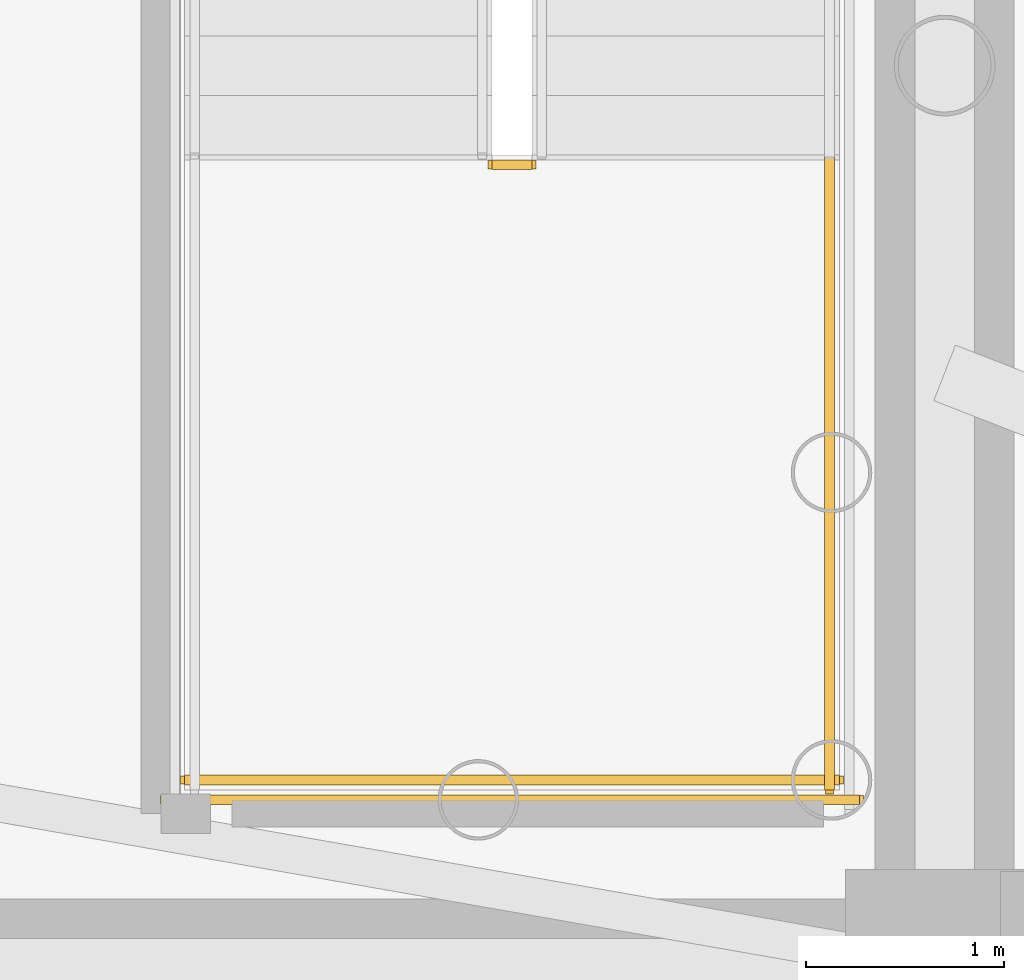
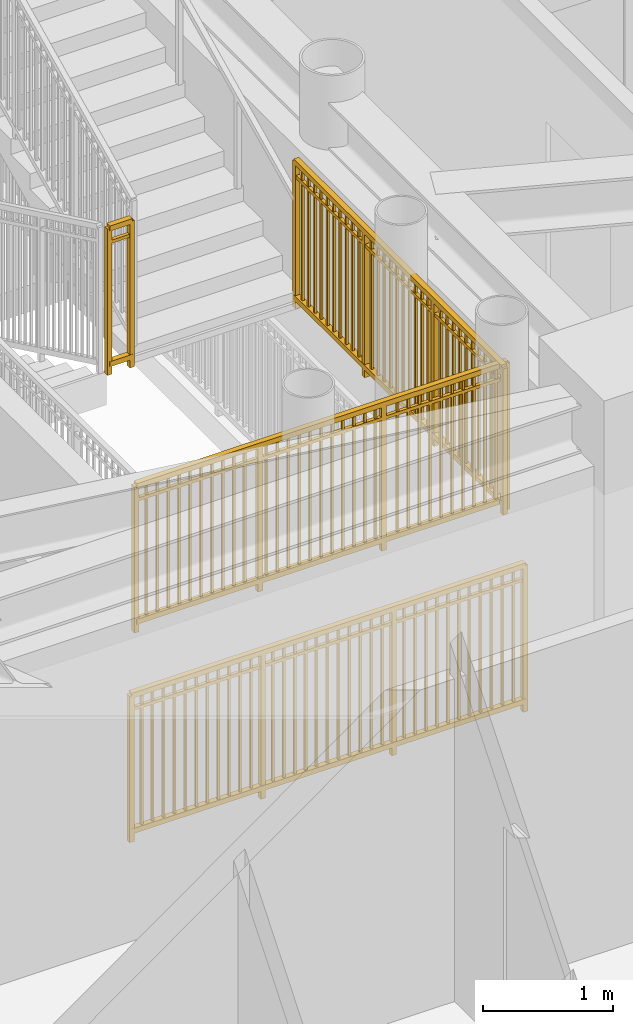
# One storey, part 12 of 18: 4 railings.
"""IFC4 building model written with IfcOpenShell, lengths in metres."""

import ifcopenshell
import ifcopenshell.guid

model = None  # the IFC model being written
_history = None  # IfcOwnerHistory: only IFC2X3 demands one
_inside = {}  # id of a spatial element -> (the spatial element, [elements in it])
_under = {}  # id of a project, library or spatial element -> (it, [spatial elements below it])
_declared = {}  # id of a project -> (the project, [libraries it declares])
_typed = {}  # id of a type object -> (the type object, [elements of that type])
_made_of = {}  # id of a material, layer set ... -> (it, [elements and type objects made of it])


def new_model(schema):
    """Start an empty IFC model of exactly this schema.

    Asked for "IFC4X3", IfcOpenShell would pick the latest addendum, in which some entities
    have other attributes; the version numbers below select the first issue.
    IFC2X3 requires an IfcOwnerHistory on every rooted entity: one is made here for all.
    """
    global model, _history
    if schema == "IFC4X3":
        model = ifcopenshell.file(schema_version=(4, 3, 0, 0))
    else:
        model = ifcopenshell.file(schema=schema)
    _inside.clear()
    _under.clear()
    _declared.clear()
    _typed.clear()
    _made_of.clear()
    _history = None
    if model.schema == "IFC2X3":
        org = make("IfcOrganization", Name="unknown")
        user = make(
            "IfcPersonAndOrganization",
            ThePerson=make("IfcPerson", FamilyName="unknown"),
            TheOrganization=org,
        )
        app = make(
            "IfcApplication",
            ApplicationDeveloper=org,
            Version="unknown",
            ApplicationFullName="unknown",
            ApplicationIdentifier="unknown",
        )
        _history = make(
            "IfcOwnerHistory",
            OwningUser=user,
            OwningApplication=app,
            ChangeAction="ADDED",
            CreationDate=0,
        )
    return model


def make(cls, **values):
    """One entity of the class cls with the attributes given. An attribute that is None is left unset."""
    return model.create_entity(
        cls, **{name: value for name, value in values.items() if value is not None}
    )


def rooted(cls, **values):
    """An entity with a GlobalId (a new one), such as an element, a storey or a relation."""
    return make(cls, GlobalId=ifcopenshell.guid.new(), OwnerHistory=_history, **values)


def si_unit(unit_type, name, prefix=None):
    """IfcSIUnit, for example si_unit("LENGTHUNIT", "METRE", prefix="MILLI")."""
    return make("IfcSIUnit", UnitType=unit_type, Prefix=prefix, Name=name)


def assignment(units):
    """IfcUnitAssignment: the units of a project."""
    return None if units is None else make("IfcUnitAssignment", Units=units)


def point(xyz):
    """IfcCartesianPoint."""
    return None if xyz is None else make("IfcCartesianPoint", Coordinates=xyz)


def direction(xyz):
    """IfcDirection."""
    return None if xyz is None else make("IfcDirection", DirectionRatios=xyz)


def frame(location, z_axis=None, x_axis=None):
    """IfcAxis2Placement3D, a coordinate frame: its origin and axes. An axis left out is left unset."""
    return make(
        "IfcAxis2Placement3D",
        Location=point(location),
        Axis=direction(z_axis),
        RefDirection=direction(x_axis),
    )


def frame_2d(location, x_axis=None):
    """IfcAxis2Placement2D, a coordinate frame in the plane: its origin and x axis."""
    return make(
        "IfcAxis2Placement2D", Location=point(location), RefDirection=direction(x_axis)
    )


def origin():
    """The frame at (0, 0, 0) with its axes left unset."""
    return frame((0.0, 0.0, 0.0))


def origin_2d():
    """The frame at (0, 0) in the plane with its x axis left unset."""
    return frame_2d((0.0, 0.0))


def place(relative_to, where):
    """IfcLocalPlacement: puts the frame where relative to a parent placement (None: the world)."""
    return make(
        "IfcLocalPlacement", PlacementRelTo=relative_to, RelativePlacement=where
    )


def context(
    kind, dimensions, precision=None, world=None, true_north=None, identifier=None
):
    """IfcGeometricRepresentationContext, for example the 3D "Model" context."""
    return make(
        "IfcGeometricRepresentationContext",
        ContextIdentifier=identifier,
        ContextType=kind,
        CoordinateSpaceDimension=dimensions,
        Precision=precision,
        WorldCoordinateSystem=world,
        TrueNorth=true_north,
    )


def subcontext(parent, identifier, kind, view, scale=None):
    """IfcGeometricRepresentationSubContext, for example "Body" below "Model"."""
    return make(
        "IfcGeometricRepresentationSubContext",
        ContextIdentifier=identifier,
        ContextType=kind,
        ParentContext=parent,
        TargetScale=scale,
        TargetView=view,
    )


def project(units=None, contexts=None):
    """IfcProject with its units and contexts."""
    return rooted(
        "IfcProject",
        Name="project",
        RepresentationContexts=contexts,
        UnitsInContext=assignment(units),
    )


def spatial(cls, under=None, at=None, **own):
    """A site, building, storey or space (cls), placed at a placement, below another one or the project."""
    s = rooted(cls, ObjectPlacement=at, **own)
    if under is not None:
        _under.setdefault(under.id(), (under, []))[1].append(s)
    return s


def profile(cls, at=None, kind="AREA", **sizes):
    """A parametric profile (cls). Its sizes go by their IFC names, for example OverallWidth=200.0."""
    return make(cls, ProfileType=kind, Position=at, **sizes)


def rectangle(**sizes):
    """IfcRectangleProfileDef."""
    return profile("IfcRectangleProfileDef", **sizes)


def extrude(swept, where, along, depth):
    """IfcExtrudedAreaSolid: the profile swept, set in the frame where, extruded along a direction by depth."""
    return make(
        "IfcExtrudedAreaSolid",
        SweptArea=swept,
        Position=where,
        ExtrudedDirection=direction(along),
        Depth=depth,
    )


def shape(context_of_items, identifier, shape_type, items):
    """IfcShapeRepresentation: the items that make up one representation, for example the "Body"."""
    return make(
        "IfcShapeRepresentation",
        ContextOfItems=context_of_items,
        RepresentationIdentifier=identifier,
        RepresentationType=shape_type,
        Items=items,
    )


def source(mapping_origin, context_of_items, identifier, shape_type, items):
    """IfcRepresentationMap: a shape defined once, which mapped items show again and again."""
    return make(
        "IfcRepresentationMap",
        MappingOrigin=mapping_origin,
        MappedRepresentation=shape(context_of_items, identifier, shape_type, items),
    )


def transform(
    local_origin,
    x_axis=None,
    y_axis=None,
    z_axis=None,
    scale=None,
    scale2=None,
    scale3=None,
    uniform=True,
):
    """IfcCartesianTransformationOperator3D, or its non-uniform kind. x_axis, y_axis, z_axis: its Axis1, 2, 3."""
    if uniform:
        return make(
            "IfcCartesianTransformationOperator3D",
            Axis1=direction(x_axis),
            Axis2=direction(y_axis),
            LocalOrigin=point(local_origin),
            Scale=scale,
            Axis3=direction(z_axis),
        )
    return make(
        "IfcCartesianTransformationOperator3DnonUniform",
        Axis1=direction(x_axis),
        Axis2=direction(y_axis),
        LocalOrigin=point(local_origin),
        Scale=scale,
        Axis3=direction(z_axis),
        Scale2=scale2,
        Scale3=scale3,
    )


def mapped(mapping_source, mapping_target):
    """IfcMappedItem: shows the shape of a source again, moved by a transform."""
    return make(
        "IfcMappedItem", MappingSource=mapping_source, MappingTarget=mapping_target
    )


def material(Name=None, Category=None):
    """IfcMaterial."""
    return make("IfcMaterial", Name=Name, Category=Category)


def made_of(thing, what):
    """Note that an element or type object is made of a material, layer set ...; save() writes the relation."""
    if what is not None:
        _made_of.setdefault(what.id(), (what, []))[1].append(thing)
    return thing


def type_object(cls, material=None, **own):
    """A type object (cls), such as IfcWallType, which elements share."""
    return made_of(rooted(cls, **own), material)


def element(
    cls,
    number,
    at=None,
    inside=None,
    cuts=None,
    type_object=None,
    material=None,
    context=None,
    identifier="Body",
    shape_type=None,
    held_by="IfcProductDefinitionShape",
    body=None,
    shapes=None,
    **own,
):
    """One element of the class cls, such as IfcWall. Its Tag is "e" and its number.

    at: its placement. inside: the storey or other place that contains it. cuts: it is an
    opening in that element (IfcRelVoidsElement). A single representation is given by context,
    identifier, shape_type and body (its items); several are given by shapes. held_by: the class
    of the entity that holds the representations. save() writes the other relations.
    """
    e = rooted(cls, Tag="e%d" % number, ObjectPlacement=at, **own)
    if body is not None:
        shapes = [shape(context, identifier, shape_type, body)]
    if shapes is not None:
        e.Representation = make(held_by, Representations=shapes)
    if inside is not None:
        _inside.setdefault(inside.id(), (inside, []))[1].append(e)
    if cuts is not None:
        rooted(
            "IfcRelVoidsElement", RelatingBuildingElement=cuts, RelatedOpeningElement=e
        )
    if type_object is not None:
        _typed.setdefault(type_object.id(), (type_object, []))[1].append(e)
    return made_of(e, material)


def aggregate(whole, parts):
    """IfcRelAggregates: a whole, such as a stair, and the parts it consists of."""
    return rooted("IfcRelAggregates", RelatingObject=whole, RelatedObjects=parts)


def save(model, path):
    """Write the relations noted so far, then the file.

    IfcRelAggregates (storeys below a building ...), IfcRelContainedInSpatialStructure (elements
    in a storey), IfcRelDefinesByType, IfcRelAssociatesMaterial and IfcRelDeclares: one each for
    every whole, place, type object, material and project.
    """
    for whole, parts in _under.values():
        aggregate(whole, parts)
    for where, things in _inside.values():
        rooted(
            "IfcRelContainedInSpatialStructure",
            RelatedElements=things,
            RelatingStructure=where,
        )
    for kind, things in _typed.values():
        rooted("IfcRelDefinesByType", RelatedObjects=things, RelatingType=kind)
    for what, things in _made_of.values():
        rooted("IfcRelAssociatesMaterial", RelatedObjects=things, RelatingMaterial=what)
    for by, libraries in _declared.values():
        rooted("IfcRelDeclares", RelatingContext=by, RelatedDefinitions=libraries)
    model.write(path)


model = new_model("IFC4")

# Units and contexts
model_context = context("Model", 3, precision=1e-05, world=origin(), true_north=direction((0.0, 1.0)))
body_context = subcontext(model_context, "Body", "Model", "MODEL_VIEW")
ifc_project = project(units=[si_unit("LENGTHUNIT", "METRE"), si_unit("AREAUNIT", "SQUARE_METRE"), si_unit("VOLUMEUNIT", "CUBIC_METRE"), si_unit("PLANEANGLEUNIT", "RADIAN"), si_unit("MASSUNIT", "GRAM", prefix="KILO")], contexts=[model_context])

# Site, building, storey
site_placement = place(None, origin())
site = spatial("IfcSite", under=ifc_project, at=site_placement, CompositionType="ELEMENT")
building_placement = place(site_placement, origin())
building = spatial("IfcBuilding", under=site, at=building_placement, Name="Linh Dai School and Residence Tower", CompositionType="ELEMENT")
storey_placement = place(building_placement, frame((0.0, 0.0, 295.5)))
storey = spatial("IfcBuildingStorey", under=building, at=storey_placement, Name="L73", CompositionType="ELEMENT", Elevation=295.5)

# Railings
ifc_material = material(Name="Structural Steel S355JR", Category="steel")
railing_type = type_object("IfcRailingType", Name="RL-ST-GUARD-1400", PredefinedType="GUARDRAIL", material=ifc_material)
shared_shape_1 = source(origin(), body_context, "Body", "SweptSolid", [
    extrude(rectangle(XDim=0.048095703125, YDim=0.048095703125, at=origin_2d()), frame((0.0, 0.0, 1.3759765625), z_axis=(1.0, 0.0, 0.0), x_axis=(0.0, 1.0, 0.0)), (0.0, 0.0, 1.0), 0.199951171875),
    extrude(rectangle(XDim=0.048095703125, YDim=0.048095703125, at=origin_2d()), frame((0.0, 0.0, 0.10009765625), z_axis=(1.0, 0.0, 0.0), x_axis=(0.0, 1.0, 0.0)), (0.0, 0.0, 1.0), 0.199951171875),
    extrude(rectangle(XDim=0.030029296875, YDim=0.030029296875, at=origin_2d()), frame((0.0, 0.0, 1.239990234375), z_axis=(1.0, 0.0, 0.0), x_axis=(0.0, 1.0, 0.0)), (0.0, 0.0, 1.0), 0.199951171875),
    extrude(rectangle(XDim=0.0419921875, YDim=0.0419921875, at=origin_2d()), origin(), (0.0, 0.0, 1.0), 1.3759765625),
    extrude(rectangle(XDim=0.0419921875, YDim=0.0419921875, at=origin_2d()), frame((0.199951171875, 0.0, 0.0)), (0.0, 0.0, 1.0), 1.3759765625),
])
railing_1_placement = place(storey_placement, frame((42.570068359375, 24.60009765625, 1.875)))
element("IfcRailing", 1, at=railing_1_placement, inside=storey, type_object=railing_type, Name="L73 ST2 stair guard 2", PredefinedType="GUARDRAIL", context=body_context, shape_type="MappedRepresentation", body=[
    mapped(shared_shape_1, transform((0.0, 0.0, 0.0), x_axis=(1.0, 0.0, 0.0), y_axis=(0.0, 1.0, 0.0), z_axis=(0.0, 0.0, 1.0), scale=1.0)),
])
shared_shape_2 = source(origin(), body_context, "Body", "SweptSolid", [
    extrude(rectangle(XDim=0.048095703125, YDim=0.048095703125, at=origin_2d()), frame((0.0, 0.0, 1.3759765625), z_axis=(1.0, 0.0, 0.0), x_axis=(0.0, 1.0, 0.0)), (0.0, 0.0, 1.0), 3.300048828125),
    extrude(rectangle(XDim=0.048095703125, YDim=0.048095703125, at=origin_2d()), frame((0.0, 0.0, 0.10009765625), z_axis=(1.0, 0.0, 0.0), x_axis=(0.0, 1.0, 0.0)), (0.0, 0.0, 1.0), 3.300048828125),
    extrude(rectangle(XDim=0.030029296875, YDim=0.030029296875, at=origin_2d()), frame((0.0, 0.0, 1.239990234375), z_axis=(1.0, 0.0, 0.0), x_axis=(0.0, 1.0, 0.0)), (0.0, 0.0, 1.0), 3.300048828125),
    extrude(rectangle(XDim=0.02001953125, YDim=0.02001953125, at=origin_2d()), frame((0.09716796875, 0.0, 0.10009765625)), (0.0, 0.0, 1.0), 1.251708984375),
    extrude(rectangle(XDim=0.02001953125, YDim=0.02001953125, at=origin_2d()), frame((0.194091796875, 0.0, 0.10009765625)), (0.0, 0.0, 1.0), 1.251708984375),
    extrude(rectangle(XDim=0.02001953125, YDim=0.02001953125, at=origin_2d()), frame((0.291259765625, 0.0, 0.10009765625)), (0.0, 0.0, 1.0), 1.251708984375),
    extrude(rectangle(XDim=0.02001953125, YDim=0.02001953125, at=origin_2d()), frame((0.38818359375, 0.0, 0.10009765625)), (0.0, 0.0, 1.0), 1.251708984375),
    extrude(rectangle(XDim=0.02001953125, YDim=0.02001953125, at=origin_2d()), frame((0.4853515625, 0.0, 0.10009765625)), (0.0, 0.0, 1.0), 1.251708984375),
    extrude(rectangle(XDim=0.02001953125, YDim=0.02001953125, at=origin_2d()), frame((0.582275390625, 0.0, 0.10009765625)), (0.0, 0.0, 1.0), 1.251708984375),
    extrude(rectangle(XDim=0.02001953125, YDim=0.02001953125, at=origin_2d()), frame((0.679443359375, 0.0, 0.10009765625)), (0.0, 0.0, 1.0), 1.251708984375),
    extrude(rectangle(XDim=0.02001953125, YDim=0.02001953125, at=origin_2d()), frame((0.7763671875, 0.0, 0.10009765625)), (0.0, 0.0, 1.0), 1.251708984375),
    extrude(rectangle(XDim=0.02001953125, YDim=0.02001953125, at=origin_2d()), frame((0.87353515625, 0.0, 0.10009765625)), (0.0, 0.0, 1.0), 1.251708984375),
    extrude(rectangle(XDim=0.02001953125, YDim=0.02001953125, at=origin_2d()), frame((0.970703125, 0.0, 0.10009765625)), (0.0, 0.0, 1.0), 1.251708984375),
    extrude(rectangle(XDim=0.02001953125, YDim=0.02001953125, at=origin_2d()), frame((1.164794921875, 0.0, 0.10009765625)), (0.0, 0.0, 1.0), 1.251708984375),
    extrude(rectangle(XDim=0.02001953125, YDim=0.02001953125, at=origin_2d()), frame((1.26171875, 0.0, 0.10009765625)), (0.0, 0.0, 1.0), 1.251708984375),
    extrude(rectangle(XDim=0.02001953125, YDim=0.02001953125, at=origin_2d()), frame((1.35888671875, 0.0, 0.10009765625)), (0.0, 0.0, 1.0), 1.251708984375),
    extrude(rectangle(XDim=0.02001953125, YDim=0.02001953125, at=origin_2d()), frame((1.455810546875, 0.0, 0.10009765625)), (0.0, 0.0, 1.0), 1.251708984375),
    extrude(rectangle(XDim=0.02001953125, YDim=0.02001953125, at=origin_2d()), frame((1.552978515625, 0.0, 0.10009765625)), (0.0, 0.0, 1.0), 1.251708984375),
    extrude(rectangle(XDim=0.02001953125, YDim=0.02001953125, at=origin_2d()), frame((1.64990234375, 0.0, 0.10009765625)), (0.0, 0.0, 1.0), 1.251708984375),
    extrude(rectangle(XDim=0.02001953125, YDim=0.02001953125, at=origin_2d()), frame((1.7470703125, 0.0, 0.10009765625)), (0.0, 0.0, 1.0), 1.251708984375),
    extrude(rectangle(XDim=0.02001953125, YDim=0.02001953125, at=origin_2d()), frame((1.84423828125, 0.0, 0.10009765625)), (0.0, 0.0, 1.0), 1.251708984375),
    extrude(rectangle(XDim=0.02001953125, YDim=0.02001953125, at=origin_2d()), frame((1.941162109375, 0.0, 0.10009765625)), (0.0, 0.0, 1.0), 1.251708984375),
    extrude(rectangle(XDim=0.02001953125, YDim=0.02001953125, at=origin_2d()), frame((2.038330078125, 0.0, 0.10009765625)), (0.0, 0.0, 1.0), 1.251708984375),
    extrude(rectangle(XDim=0.02001953125, YDim=0.02001953125, at=origin_2d()), frame((2.13525390625, 0.0, 0.10009765625)), (0.0, 0.0, 1.0), 1.251708984375),
    extrude(rectangle(XDim=0.02001953125, YDim=0.02001953125, at=origin_2d()), frame((2.329345703125, 0.0, 0.10009765625)), (0.0, 0.0, 1.0), 1.251708984375),
    extrude(rectangle(XDim=0.02001953125, YDim=0.02001953125, at=origin_2d()), frame((2.426513671875, 0.0, 0.10009765625)), (0.0, 0.0, 1.0), 1.251708984375),
    extrude(rectangle(XDim=0.02001953125, YDim=0.02001953125, at=origin_2d()), frame((2.523681640625, 0.0, 0.10009765625)), (0.0, 0.0, 1.0), 1.251708984375),
    extrude(rectangle(XDim=0.02001953125, YDim=0.02001953125, at=origin_2d()), frame((2.62060546875, 0.0, 0.10009765625)), (0.0, 0.0, 1.0), 1.251708984375),
    extrude(rectangle(XDim=0.02001953125, YDim=0.02001953125, at=origin_2d()), frame((2.7177734375, 0.0, 0.10009765625)), (0.0, 0.0, 1.0), 1.251708984375),
    extrude(rectangle(XDim=0.02001953125, YDim=0.02001953125, at=origin_2d()), frame((2.814697265625, 0.0, 0.10009765625)), (0.0, 0.0, 1.0), 1.251708984375),
    extrude(rectangle(XDim=0.02001953125, YDim=0.02001953125, at=origin_2d()), frame((2.911865234375, 0.0, 0.10009765625)), (0.0, 0.0, 1.0), 1.251708984375),
    extrude(rectangle(XDim=0.02001953125, YDim=0.02001953125, at=origin_2d()), frame((3.0087890625, 0.0, 0.10009765625)), (0.0, 0.0, 1.0), 1.251708984375),
    extrude(rectangle(XDim=0.02001953125, YDim=0.02001953125, at=origin_2d()), frame((3.10595703125, 0.0, 0.10009765625)), (0.0, 0.0, 1.0), 1.251708984375),
    extrude(rectangle(XDim=0.02001953125, YDim=0.02001953125, at=origin_2d()), frame((3.202880859375, 0.0, 0.10009765625)), (0.0, 0.0, 1.0), 1.251708984375),
    extrude(rectangle(XDim=0.0419921875, YDim=0.0419921875, at=origin_2d()), origin(), (0.0, 0.0, 1.0), 1.3759765625),
    extrude(rectangle(XDim=0.0419921875, YDim=0.0419921875, at=origin_2d()), frame((1.10009765625, 0.0, 0.0)), (0.0, 0.0, 1.0), 1.3759765625),
    extrude(rectangle(XDim=0.0419921875, YDim=0.0419921875, at=origin_2d()), frame((2.199951171875, 0.0, 0.0)), (0.0, 0.0, 1.0), 1.3759765625),
    extrude(rectangle(XDim=0.0419921875, YDim=0.0419921875, at=origin_2d()), frame((3.300048828125, 0.0, 0.0)), (0.0, 0.0, 1.0), 1.3759765625),
])
railing_2_placement = place(storey_placement, frame((41.02001953125, 21.5, 1.875)))
element("IfcRailing", 2, at=railing_2_placement, inside=storey, type_object=railing_type, Name="L73 ST2 stair guard 5", PredefinedType="GUARDRAIL", context=body_context, shape_type="MappedRepresentation", body=[
    mapped(shared_shape_2, transform((0.0, 0.0, 0.0), x_axis=(1.0, 0.0, 0.0), y_axis=(0.0, 1.0, 0.0), z_axis=(0.0, 0.0, 1.0), scale=1.0)),
])
shared_shape_3 = source(origin(), body_context, "Body", "SweptSolid", [
    extrude(rectangle(XDim=0.048095703125, YDim=0.048095703125, at=origin_2d()), frame((0.0, 0.0, 1.3759765625), z_axis=(1.0, 0.0, 0.0), x_axis=(0.0, 1.0, 0.0)), (0.0, 0.0, 1.0), 3.5),
    extrude(rectangle(XDim=0.048095703125, YDim=0.048095703125, at=origin_2d()), frame((0.0, 0.0, 0.10009765625), z_axis=(1.0, 0.0, 0.0), x_axis=(0.0, 1.0, 0.0)), (0.0, 0.0, 1.0), 3.5),
    extrude(rectangle(XDim=0.030029296875, YDim=0.030029296875, at=origin_2d()), frame((0.0, 0.0, 1.239990234375), z_axis=(1.0, 0.0, 0.0), x_axis=(0.0, 1.0, 0.0)), (0.0, 0.0, 1.0), 3.5),
    extrude(rectangle(XDim=0.02001953125, YDim=0.02001953125, at=origin_2d()), frame((0.09716796875, 0.0, 0.10009765625)), (0.0, 0.0, 1.0), 1.251708984375),
    extrude(rectangle(XDim=0.02001953125, YDim=0.02001953125, at=origin_2d()), frame((0.1943359375, 0.0, 0.10009765625)), (0.0, 0.0, 1.0), 1.251708984375),
    extrude(rectangle(XDim=0.02001953125, YDim=0.02001953125, at=origin_2d()), frame((0.291748046875, 0.0, 0.10009765625)), (0.0, 0.0, 1.0), 1.251708984375),
    extrude(rectangle(XDim=0.02001953125, YDim=0.02001953125, at=origin_2d()), frame((0.388916015625, 0.0, 0.10009765625)), (0.0, 0.0, 1.0), 1.251708984375),
    extrude(rectangle(XDim=0.02001953125, YDim=0.02001953125, at=origin_2d()), frame((0.486083984375, 0.0, 0.10009765625)), (0.0, 0.0, 1.0), 1.251708984375),
    extrude(rectangle(XDim=0.02001953125, YDim=0.02001953125, at=origin_2d()), frame((0.583251953125, 0.0, 0.10009765625)), (0.0, 0.0, 1.0), 1.251708984375),
    extrude(rectangle(XDim=0.02001953125, YDim=0.02001953125, at=origin_2d()), frame((0.6806640625, 0.0, 0.10009765625)), (0.0, 0.0, 1.0), 1.251708984375),
    extrude(rectangle(XDim=0.02001953125, YDim=0.02001953125, at=origin_2d()), frame((0.77783203125, 0.0, 0.10009765625)), (0.0, 0.0, 1.0), 1.251708984375),
    extrude(rectangle(XDim=0.02001953125, YDim=0.02001953125, at=origin_2d()), frame((0.875, 0.0, 0.10009765625)), (0.0, 0.0, 1.0), 1.251708984375),
    extrude(rectangle(XDim=0.02001953125, YDim=0.02001953125, at=origin_2d()), frame((0.97216796875, 0.0, 0.10009765625)), (0.0, 0.0, 1.0), 1.251708984375),
    extrude(rectangle(XDim=0.02001953125, YDim=0.02001953125, at=origin_2d()), frame((1.0693359375, 0.0, 0.10009765625)), (0.0, 0.0, 1.0), 1.251708984375),
    extrude(rectangle(XDim=0.02001953125, YDim=0.02001953125, at=origin_2d()), frame((1.263916015625, 0.0, 0.10009765625)), (0.0, 0.0, 1.0), 1.251708984375),
    extrude(rectangle(XDim=0.02001953125, YDim=0.02001953125, at=origin_2d()), frame((1.361083984375, 0.0, 0.10009765625)), (0.0, 0.0, 1.0), 1.251708984375),
    extrude(rectangle(XDim=0.02001953125, YDim=0.02001953125, at=origin_2d()), frame((1.458251953125, 0.0, 0.10009765625)), (0.0, 0.0, 1.0), 1.251708984375),
    extrude(rectangle(XDim=0.02001953125, YDim=0.02001953125, at=origin_2d()), frame((1.5556640625, 0.0, 0.10009765625)), (0.0, 0.0, 1.0), 1.251708984375),
    extrude(rectangle(XDim=0.02001953125, YDim=0.02001953125, at=origin_2d()), frame((1.65283203125, 0.0, 0.10009765625)), (0.0, 0.0, 1.0), 1.251708984375),
    extrude(rectangle(XDim=0.02001953125, YDim=0.02001953125, at=origin_2d()), frame((1.75, 0.0, 0.10009765625)), (0.0, 0.0, 1.0), 1.251708984375),
    extrude(rectangle(XDim=0.02001953125, YDim=0.02001953125, at=origin_2d()), frame((1.84716796875, 0.0, 0.10009765625)), (0.0, 0.0, 1.0), 1.251708984375),
    extrude(rectangle(XDim=0.02001953125, YDim=0.02001953125, at=origin_2d()), frame((1.9443359375, 0.0, 0.10009765625)), (0.0, 0.0, 1.0), 1.251708984375),
    extrude(rectangle(XDim=0.02001953125, YDim=0.02001953125, at=origin_2d()), frame((2.041748046875, 0.0, 0.10009765625)), (0.0, 0.0, 1.0), 1.251708984375),
    extrude(rectangle(XDim=0.02001953125, YDim=0.02001953125, at=origin_2d()), frame((2.138916015625, 0.0, 0.10009765625)), (0.0, 0.0, 1.0), 1.251708984375),
    extrude(rectangle(XDim=0.02001953125, YDim=0.02001953125, at=origin_2d()), frame((2.236083984375, 0.0, 0.10009765625)), (0.0, 0.0, 1.0), 1.251708984375),
    extrude(rectangle(XDim=0.02001953125, YDim=0.02001953125, at=origin_2d()), frame((2.4306640625, 0.0, 0.10009765625)), (0.0, 0.0, 1.0), 1.251708984375),
    extrude(rectangle(XDim=0.02001953125, YDim=0.02001953125, at=origin_2d()), frame((2.52783203125, 0.0, 0.10009765625)), (0.0, 0.0, 1.0), 1.251708984375),
    extrude(rectangle(XDim=0.02001953125, YDim=0.02001953125, at=origin_2d()), frame((2.625, 0.0, 0.10009765625)), (0.0, 0.0, 1.0), 1.251708984375),
    extrude(rectangle(XDim=0.02001953125, YDim=0.02001953125, at=origin_2d()), frame((2.72216796875, 0.0, 0.10009765625)), (0.0, 0.0, 1.0), 1.251708984375),
    extrude(rectangle(XDim=0.02001953125, YDim=0.02001953125, at=origin_2d()), frame((2.8193359375, 0.0, 0.10009765625)), (0.0, 0.0, 1.0), 1.251708984375),
    extrude(rectangle(XDim=0.02001953125, YDim=0.02001953125, at=origin_2d()), frame((2.916748046875, 0.0, 0.10009765625)), (0.0, 0.0, 1.0), 1.251708984375),
    extrude(rectangle(XDim=0.02001953125, YDim=0.02001953125, at=origin_2d()), frame((3.013916015625, 0.0, 0.10009765625)), (0.0, 0.0, 1.0), 1.251708984375),
    extrude(rectangle(XDim=0.02001953125, YDim=0.02001953125, at=origin_2d()), frame((3.111083984375, 0.0, 0.10009765625)), (0.0, 0.0, 1.0), 1.251708984375),
    extrude(rectangle(XDim=0.02001953125, YDim=0.02001953125, at=origin_2d()), frame((3.208251953125, 0.0, 0.10009765625)), (0.0, 0.0, 1.0), 1.251708984375),
    extrude(rectangle(XDim=0.02001953125, YDim=0.02001953125, at=origin_2d()), frame((3.3056640625, 0.0, 0.10009765625)), (0.0, 0.0, 1.0), 1.251708984375),
    extrude(rectangle(XDim=0.02001953125, YDim=0.02001953125, at=origin_2d()), frame((3.40283203125, 0.0, 0.10009765625)), (0.0, 0.0, 1.0), 1.251708984375),
    extrude(rectangle(XDim=0.0419921875, YDim=0.0419921875, at=origin_2d()), origin(), (0.0, 0.0, 1.0), 1.3759765625),
    extrude(rectangle(XDim=0.0419921875, YDim=0.0419921875, at=origin_2d()), frame((1.166748046875, 0.0, 0.0)), (0.0, 0.0, 1.0), 1.3759765625),
    extrude(rectangle(XDim=0.0419921875, YDim=0.0419921875, at=origin_2d()), frame((2.333251953125, 0.0, 0.0)), (0.0, 0.0, 1.0), 1.3759765625),
    extrude(rectangle(XDim=0.0419921875, YDim=0.0419921875, at=origin_2d()), frame((3.5, 0.0, 0.0)), (0.0, 0.0, 1.0), 1.3759765625),
])
railing_3_placement = place(storey_placement, frame((40.919921875, 21.39990234375, 0.0)))
element("IfcRailing", 3, at=railing_3_placement, inside=storey, type_object=railing_type, Name="L73 ST2 stair guard 12", PredefinedType="GUARDRAIL", context=body_context, shape_type="MappedRepresentation", body=[
    mapped(shared_shape_3, transform((0.0, 0.0, 0.0), x_axis=(1.0, 0.0, 0.0), y_axis=(0.0, 1.0, 0.0), z_axis=(0.0, 0.0, 1.0), scale=1.0)),
])
shared_shape_4 = source(origin(), body_context, "Body", "SweptSolid", [
    extrude(rectangle(XDim=0.048095703125, YDim=0.048095703125, at=origin_2d()), frame((0.0, 0.0, 1.3759765625), z_axis=(0.0, -1.0, 0.0), x_axis=(1.0, 0.0, 0.0)), (0.0, 0.0, 1.0), 3.199951171875),
    extrude(rectangle(XDim=0.048095703125, YDim=0.048095703125, at=origin_2d()), frame((0.0, 0.0, 0.10009765625), z_axis=(0.0, -1.0, 0.0), x_axis=(1.0, 0.0, 0.0)), (0.0, 0.0, 1.0), 3.199951171875),
    extrude(rectangle(XDim=0.030029296875, YDim=0.030029296875, at=origin_2d()), frame((0.0, 0.0, 1.239990234375), z_axis=(0.0, -1.0, 0.0), x_axis=(1.0, 0.0, 0.0)), (0.0, 0.0, 1.0), 3.199951171875),
    extrude(rectangle(XDim=0.02001953125, YDim=0.02001953125, at=origin_2d()), frame((0.0, -0.096923828125, 0.10009765625)), (0.0, 0.0, 1.0), 1.251708984375),
    extrude(rectangle(XDim=0.02001953125, YDim=0.02001953125, at=origin_2d()), frame((0.0, -0.19384765625, 0.10009765625)), (0.0, 0.0, 1.0), 1.251708984375),
    extrude(rectangle(XDim=0.02001953125, YDim=0.02001953125, at=origin_2d()), frame((0.0, -0.291015625, 0.10009765625)), (0.0, 0.0, 1.0), 1.251708984375),
    extrude(rectangle(XDim=0.02001953125, YDim=0.02001953125, at=origin_2d()), frame((0.0, -0.387939453125, 0.10009765625)), (0.0, 0.0, 1.0), 1.251708984375),
    extrude(rectangle(XDim=0.02001953125, YDim=0.02001953125, at=origin_2d()), frame((0.0, -0.48486328125, 0.10009765625)), (0.0, 0.0, 1.0), 1.251708984375),
    extrude(rectangle(XDim=0.02001953125, YDim=0.02001953125, at=origin_2d()), frame((0.0, -0.581787109375, 0.10009765625)), (0.0, 0.0, 1.0), 1.251708984375),
    extrude(rectangle(XDim=0.02001953125, YDim=0.02001953125, at=origin_2d()), frame((0.0, -0.6787109375, 0.10009765625)), (0.0, 0.0, 1.0), 1.251708984375),
    extrude(rectangle(XDim=0.02001953125, YDim=0.02001953125, at=origin_2d()), frame((0.0, -0.775634765625, 0.10009765625)), (0.0, 0.0, 1.0), 1.251708984375),
    extrude(rectangle(XDim=0.02001953125, YDim=0.02001953125, at=origin_2d()), frame((0.0, -0.872802734375, 0.10009765625)), (0.0, 0.0, 1.0), 1.251708984375),
    extrude(rectangle(XDim=0.02001953125, YDim=0.02001953125, at=origin_2d()), frame((0.0, -0.9697265625, 0.10009765625)), (0.0, 0.0, 1.0), 1.251708984375),
    extrude(rectangle(XDim=0.02001953125, YDim=0.02001953125, at=origin_2d()), frame((0.0, -1.16357421875, 0.10009765625)), (0.0, 0.0, 1.0), 1.251708984375),
    extrude(rectangle(XDim=0.02001953125, YDim=0.02001953125, at=origin_2d()), frame((0.0, -1.260498046875, 0.10009765625)), (0.0, 0.0, 1.0), 1.251708984375),
    extrude(rectangle(XDim=0.02001953125, YDim=0.02001953125, at=origin_2d()), frame((0.0, -1.357666015625, 0.10009765625)), (0.0, 0.0, 1.0), 1.251708984375),
    extrude(rectangle(XDim=0.02001953125, YDim=0.02001953125, at=origin_2d()), frame((0.0, -1.45458984375, 0.10009765625)), (0.0, 0.0, 1.0), 1.251708984375),
    extrude(rectangle(XDim=0.02001953125, YDim=0.02001953125, at=origin_2d()), frame((0.0, -1.551513671875, 0.10009765625)), (0.0, 0.0, 1.0), 1.251708984375),
    extrude(rectangle(XDim=0.02001953125, YDim=0.02001953125, at=origin_2d()), frame((0.0, -1.6484375, 0.10009765625)), (0.0, 0.0, 1.0), 1.251708984375),
    extrude(rectangle(XDim=0.02001953125, YDim=0.02001953125, at=origin_2d()), frame((0.0, -1.745361328125, 0.10009765625)), (0.0, 0.0, 1.0), 1.251708984375),
    extrude(rectangle(XDim=0.02001953125, YDim=0.02001953125, at=origin_2d()), frame((0.0, -1.84228515625, 0.10009765625)), (0.0, 0.0, 1.0), 1.251708984375),
    extrude(rectangle(XDim=0.02001953125, YDim=0.02001953125, at=origin_2d()), frame((0.0, -1.939453125, 0.10009765625)), (0.0, 0.0, 1.0), 1.251708984375),
    extrude(rectangle(XDim=0.02001953125, YDim=0.02001953125, at=origin_2d()), frame((0.0, -2.036376953125, 0.10009765625)), (0.0, 0.0, 1.0), 1.251708984375),
    extrude(rectangle(XDim=0.02001953125, YDim=0.02001953125, at=origin_2d()), frame((0.0, -2.230224609375, 0.10009765625)), (0.0, 0.0, 1.0), 1.251708984375),
    extrude(rectangle(XDim=0.02001953125, YDim=0.02001953125, at=origin_2d()), frame((0.0, -2.3271484375, 0.10009765625)), (0.0, 0.0, 1.0), 1.251708984375),
    extrude(rectangle(XDim=0.02001953125, YDim=0.02001953125, at=origin_2d()), frame((0.0, -2.42431640625, 0.10009765625)), (0.0, 0.0, 1.0), 1.251708984375),
    extrude(rectangle(XDim=0.02001953125, YDim=0.02001953125, at=origin_2d()), frame((0.0, -2.521240234375, 0.10009765625)), (0.0, 0.0, 1.0), 1.251708984375),
    extrude(rectangle(XDim=0.02001953125, YDim=0.02001953125, at=origin_2d()), frame((0.0, -2.6181640625, 0.10009765625)), (0.0, 0.0, 1.0), 1.251708984375),
    extrude(rectangle(XDim=0.02001953125, YDim=0.02001953125, at=origin_2d()), frame((0.0, -2.715087890625, 0.10009765625)), (0.0, 0.0, 1.0), 1.251708984375),
    extrude(rectangle(XDim=0.02001953125, YDim=0.02001953125, at=origin_2d()), frame((0.0, -2.81201171875, 0.10009765625)), (0.0, 0.0, 1.0), 1.251708984375),
    extrude(rectangle(XDim=0.02001953125, YDim=0.02001953125, at=origin_2d()), frame((0.0, -2.908935546875, 0.10009765625)), (0.0, 0.0, 1.0), 1.251708984375),
    extrude(rectangle(XDim=0.02001953125, YDim=0.02001953125, at=origin_2d()), frame((0.0, -3.006103515625, 0.10009765625)), (0.0, 0.0, 1.0), 1.251708984375),
    extrude(rectangle(XDim=0.02001953125, YDim=0.02001953125, at=origin_2d()), frame((0.0, -3.10302734375, 0.10009765625)), (0.0, 0.0, 1.0), 1.251708984375),
    extrude(rectangle(XDim=0.0419921875, YDim=0.0419921875, at=origin_2d()), origin(), (0.0, 0.0, 1.0), 1.3759765625),
    extrude(rectangle(XDim=0.0419921875, YDim=0.0419921875, at=origin_2d()), frame((0.0, -1.066650390625, 0.0)), (0.0, 0.0, 1.0), 1.3759765625),
    extrude(rectangle(XDim=0.0419921875, YDim=0.0419921875, at=origin_2d()), frame((0.0, -2.13330078125, 0.0)), (0.0, 0.0, 1.0), 1.3759765625),
    extrude(rectangle(XDim=0.0419921875, YDim=0.0419921875, at=origin_2d()), frame((0.0, -3.199951171875, 0.0)), (0.0, 0.0, 1.0), 1.3759765625),
])
railing_4_placement = place(storey_placement, frame((44.27001953125, 24.64990234375, 1.875)))
element("IfcRailing", 4, at=railing_4_placement, inside=storey, type_object=railing_type, Name="L73 ST2 stair guard 4", PredefinedType="GUARDRAIL", context=body_context, shape_type="MappedRepresentation", body=[
    mapped(shared_shape_4, transform((0.0, 0.0, 0.0), x_axis=(1.0, 0.0, 0.0), y_axis=(0.0, 1.0, 0.0), z_axis=(0.0, 0.0, 1.0), scale=1.0)),
])

save(model, "model.ifc")
